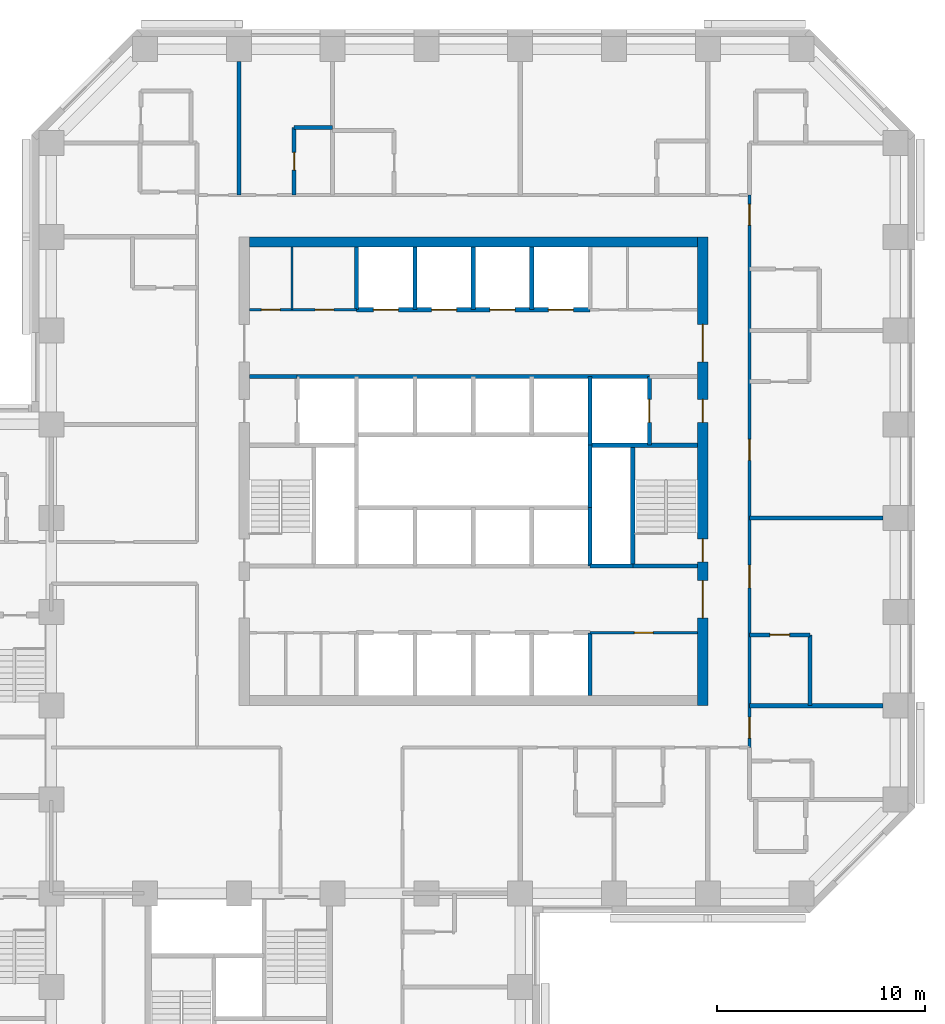
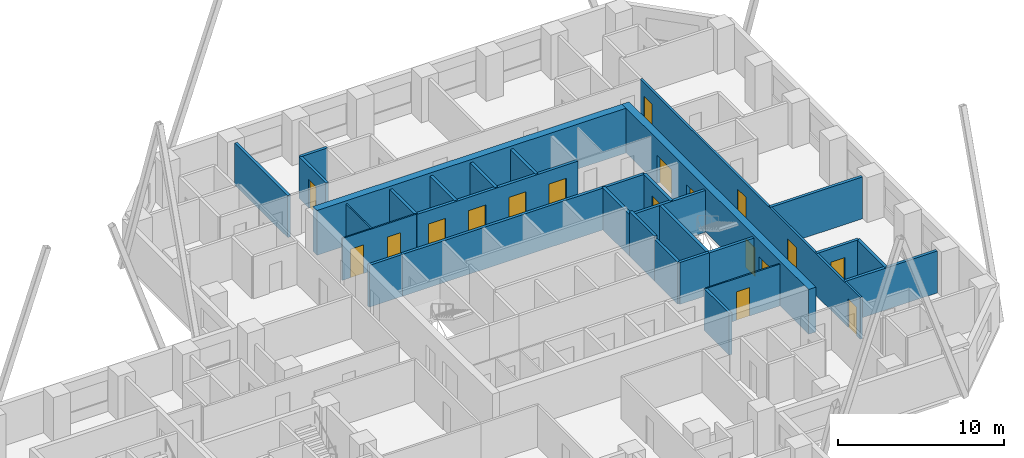
# One storey, part 9 of 13: 29 walls, 18 doors, 18 openings.
"""IFC4 building model written with IfcOpenShell, lengths in metres."""

from ifc_helpers import new_model, si_unit, direction, frame, frame_2d, origin, place, context, subcontext, project, spatial, rectangle, extrude, material, layer, layer_set, type_object, element, fill, save


model = new_model("IFC4")

# Units and contexts
model_context = context("Model", 3, precision=1e-05, world=origin(), true_north=direction((0.0, 1.0)))
body_context = subcontext(model_context, "Body", "Model", "MODEL_VIEW")
ifc_project = project(units=[si_unit("LENGTHUNIT", "METRE"), si_unit("AREAUNIT", "SQUARE_METRE"), si_unit("VOLUMEUNIT", "CUBIC_METRE"), si_unit("PLANEANGLEUNIT", "RADIAN"), si_unit("MASSUNIT", "GRAM", prefix="KILO")], contexts=[model_context])

# Site, building, storey
site_placement = place(None, origin())
site = spatial("IfcSite", under=ifc_project, at=site_placement, CompositionType="ELEMENT")
building_placement = place(site_placement, origin())
building = spatial("IfcBuilding", under=site, at=building_placement, Name="Quoin Convention Tower", CompositionType="ELEMENT")
storey_placement = place(building_placement, frame((0.0, 0.0, 39.60009765625)))
storey = spatial("IfcBuildingStorey", under=building, at=storey_placement, Name="L09", CompositionType="ELEMENT", Elevation=39.60009765625)

# Wall, opening, door
ifc_material_1 = material(Name="Plasterboard")
ifc_layer_1 = layer(ifc_material_1, 0.012451171875, Name="Finish")
ifc_material_2 = material(Name="Steel stud framing", Category="steel")
ifc_layer_2 = layer(ifc_material_2, 0.074951171875, Name="Structure")
ifc_layer_3 = layer(ifc_material_1, 0.012451171875, Name="Finish")
ifc_layer_set_1 = layer_set([ifc_layer_1, ifc_layer_2, ifc_layer_3], Name="Steel stud framing")
wall_type_1 = type_object("IfcWallType", Name="Core partition wall", PredefinedType="PARTITIONING", material=ifc_layer_set_1)
wall_1_placement = place(storey_placement, frame((61.85009765625, 53.0, 0.0), z_axis=(0.0, 0.0, 1.0), x_axis=(1.0, 0.0, 0.0)))
wall_1 = element("IfcWall", 1, at=wall_1_placement, inside=storey, type_object=wall_type_1, Name="cr-C1-L09-h3500_16850", PredefinedType="PARTITIONING", context=body_context, shape_type="SweptSolid", body=[
    extrude(rectangle(XDim=5.14990234375, YDim=0.10009765625, at=frame_2d((2.574951171875, 0.0))), origin(), (0.0, 0.0, 1.0), 3.079833984375),
])
opening_1_placement = place(wall_1_placement, frame((2.125, 0.0, 0.0)))
opening_1 = element("IfcOpeningElement", 2, at=opening_1_placement, cuts=wall_1, Name="Opening DCV3-19", PredefinedType="OPENING", context=body_context, shape_type="SweptSolid", body=[
    extrude(rectangle(XDim=0.89990234375, YDim=2.10009765625, at=frame_2d((0.449951171875, 1.050048828125))), frame((0.0, 0.06005859375, 0.0), z_axis=(0.0, -1.0, 0.0), x_axis=(1.0, 0.0, 0.0)), (0.0, 0.0, 1.0), 0.1201171875),
])
ifc_material_3 = material(Name="Steel door leaf", Category="steel")
door_type_1 = type_object("IfcDoorType", Name="Core room door 900 x 2100", OperationType="SINGLE_SWING_LEFT", PredefinedType="DOOR", material=ifc_material_3)
door_1_placement = place(opening_1_placement, frame((0.89990234375, 0.0, 0.0), z_axis=(0.0, 0.0, 1.0), x_axis=(-1.0, 0.0, 0.0)))
door_1 = element("IfcDoor", 3, at=door_1_placement, inside=storey, type_object=door_type_1, Name="cd-C1-L09-CSE0-lobA-CD0911", OperationType="SINGLE_SWING_RIGHT", OverallHeight=2.10009765625, OverallWidth=0.89990234375, PredefinedType="DOOR", context=body_context, shape_type="SweptSolid", body=[
    extrude(rectangle(XDim=0.89990234375, YDim=2.10009765625, at=frame_2d((0.449951171875, 1.050048828125))), frame((0.0, 0.02490234375, 0.0), z_axis=(0.0, -1.0, 0.0), x_axis=(1.0, 0.0, 0.0)), (0.0, 0.0, 1.0), 0.050048828125),
])
fill(opening_1, door_1)

# Wall, openings, doors
wall_2_placement = place(storey_placement, frame((45.5, 68.5, 0.0), z_axis=(0.0, 0.0, 1.0), x_axis=(1.0, 0.0, 0.0)))
wall_2 = element("IfcWall", 4, at=wall_2_placement, inside=storey, type_object=wall_type_1, Name="cr-C1-L09-h19000_500", PredefinedType="PARTITIONING", context=body_context, shape_type="SweptSolid", body=[
    extrude(rectangle(XDim=5.14990234375, YDim=0.10009765625, at=frame_2d((2.574951171875, 0.0))), origin(), (0.0, 0.0, 1.0), 3.079833984375),
])
opening_2_placement = place(wall_2_placement, frame((0.580078125, 0.0, 0.0)))
opening_2 = element("IfcOpeningElement", 5, at=opening_2_placement, cuts=wall_2, Name="Opening DCV3-17", PredefinedType="OPENING", context=body_context, shape_type="SweptSolid", body=[
    extrude(rectangle(XDim=0.89990234375, YDim=2.10009765625, at=frame_2d((0.449951171875, 1.050048828125))), frame((0.0, 0.06005859375, 0.0), z_axis=(0.0, -1.0, 0.0), x_axis=(1.0, 0.0, 0.0)), (0.0, 0.0, 1.0), 0.1201171875),
])
opening_3_placement = place(wall_2_placement, frame((3.155029296875, 0.0, 0.0)))
opening_3 = element("IfcOpeningElement", 6, at=opening_3_placement, cuts=wall_2, Name="Opening DCV3-18", PredefinedType="OPENING", context=body_context, shape_type="SweptSolid", body=[
    extrude(rectangle(XDim=0.89990234375, YDim=2.10009765625, at=frame_2d((0.449951171875, 1.050048828125))), frame((0.0, 0.06005859375, 0.0), z_axis=(0.0, -1.0, 0.0), x_axis=(1.0, 0.0, 0.0)), (0.0, 0.0, 1.0), 0.1201171875),
])
door_2_placement = place(opening_2_placement, origin())
door_2 = element("IfcDoor", 7, at=door_2_placement, inside=storey, type_object=door_type_1, Name="cd-C1-L09-CNW0-lobB-CD0909", OperationType="SINGLE_SWING_RIGHT", OverallHeight=2.10009765625, OverallWidth=0.89990234375, PredefinedType="DOOR", context=body_context, shape_type="SweptSolid", body=[
    extrude(rectangle(XDim=0.89990234375, YDim=2.10009765625, at=frame_2d((0.449951171875, 1.050048828125))), frame((0.0, 0.02490234375, 0.0), z_axis=(0.0, -1.0, 0.0), x_axis=(1.0, 0.0, 0.0)), (0.0, 0.0, 1.0), 0.050048828125),
])
fill(opening_2, door_2)
door_3_placement = place(opening_3_placement, origin())
door_3 = element("IfcDoor", 8, at=door_3_placement, inside=storey, type_object=door_type_1, Name="cd-C1-L09-CNW1-lobB-CD0910", OperationType="SINGLE_SWING_RIGHT", OverallHeight=2.10009765625, OverallWidth=0.89990234375, PredefinedType="DOOR", context=body_context, shape_type="SweptSolid", body=[
    extrude(rectangle(XDim=0.89990234375, YDim=2.10009765625, at=frame_2d((0.449951171875, 1.050048828125))), frame((0.0, 0.02490234375, 0.0), z_axis=(0.0, -1.0, 0.0), x_axis=(1.0, 0.0, 0.0)), (0.0, 0.0, 1.0), 0.050048828125),
])
fill(opening_3, door_3)

# Walls
wall_3_placement = place(storey_placement, frame((47.56005859375, 68.5, 0.0), z_axis=(0.0, 0.0, 1.0), x_axis=(0.0, 1.0, 0.0)))
element("IfcWall", 9, at=wall_3_placement, inside=storey, type_object=wall_type_1, Name="cr-C1-L09-v2560_19000", PredefinedType="PARTITIONING", context=body_context, shape_type="SweptSolid", body=[
    extrude(rectangle(XDim=3.0, YDim=0.10009765625, at=frame_2d((1.5, 0.0))), origin(), (0.0, 0.0, 1.0), 3.079833984375),
])
ifc_material_4 = material(Name="Concrete C50", Category="concrete")
ifc_layer_4 = layer(ifc_material_4, 0.199951171875)
ifc_layer_set_2 = layer_set([ifc_layer_4], Name="Concrete C50")
wall_type_2 = type_object("IfcWallType", Name="Core shaft wall", PredefinedType="SOLIDWALL", material=ifc_layer_set_2)
wall_4_placement = place(storey_placement, frame((61.85009765625, 56.199951171875, 0.0), z_axis=(0.0, 0.0, 1.0), x_axis=(1.0, 0.0, 0.0)))
element("IfcWall", 10, at=wall_4_placement, inside=storey, type_object=wall_type_2, Name="cr-C1-L09-h6700_16850", PredefinedType="SOLIDWALL", context=body_context, shape_type="SweptSolid", body=[
    extrude(rectangle(XDim=2.0498046875, YDim=0.199951171875, at=frame_2d((1.02490234375, 0.0))), origin(), (0.0, 0.0, 1.0), 3.079833984375),
])
wall_5_placement = place(storey_placement, frame((63.89990234375, 56.199951171875, 0.0), z_axis=(0.0, 0.0, 1.0), x_axis=(1.0, 0.0, 0.0)))
element("IfcWall", 11, at=wall_5_placement, inside=storey, type_object=wall_type_2, Name="cr-C1-L09-h6700_18900", PredefinedType="SOLIDWALL", context=body_context, shape_type="SweptSolid", body=[
    extrude(rectangle(XDim=3.10009765625, YDim=0.199951171875, at=frame_2d((1.550048828125, 0.0))), origin(), (0.0, 0.0, 1.0), 3.079833984375),
])
wall_6_placement = place(storey_placement, frame((61.85009765625, 62.0, 0.0), z_axis=(0.0, 0.0, 1.0), x_axis=(1.0, 0.0, 0.0)))
element("IfcWall", 12, at=wall_6_placement, inside=storey, type_object=wall_type_2, Name="cr-C1-L09-h12500_16850", PredefinedType="SOLIDWALL", context=body_context, shape_type="SweptSolid", body=[
    extrude(rectangle(XDim=5.14990234375, YDim=0.199951171875, at=frame_2d((2.574951171875, 0.0))), origin(), (0.0, 0.0, 1.0), 3.079833984375),
])
wall_7_placement = place(storey_placement, frame((45.5, 65.300048828125, 0.0), z_axis=(0.0, 0.0, 1.0), x_axis=(1.0, 0.0, 0.0)))
element("IfcWall", 13, at=wall_7_placement, inside=storey, type_object=wall_type_2, Name="cr-C1-L09-h15800_500", PredefinedType="SOLIDWALL", context=body_context, shape_type="SweptSolid", body=[
    extrude(rectangle(XDim=2.300048828125, YDim=0.199951171875, at=frame_2d((1.14990234375, 0.0))), origin(), (0.0, 0.0, 1.0), 3.079833984375),
])
wall_8_placement = place(storey_placement, frame((47.800048828125, 65.300048828125, 0.0), z_axis=(0.0, 0.0, 1.0), x_axis=(1.0, 0.0, 0.0)))
element("IfcWall", 14, at=wall_8_placement, inside=storey, type_object=wall_type_2, Name="cr-C1-L09-h15800_2800", PredefinedType="SOLIDWALL", context=body_context, shape_type="SweptSolid", body=[
    extrude(rectangle(XDim=16.89990234375, YDim=0.199951171875, at=frame_2d((8.449951171875, 0.0))), origin(), (0.0, 0.0, 1.0), 3.079833984375),
])

# Wall, openings, doors
wall_9_placement = place(storey_placement, frame((50.64990234375, 68.5, 0.0), z_axis=(0.0, 0.0, 1.0), x_axis=(1.0, 0.0, 0.0)))
wall_9 = element("IfcWall", 15, at=wall_9_placement, inside=storey, type_object=wall_type_2, Name="cr-C1-L09-h19000_5650", PredefinedType="SOLIDWALL", context=body_context, shape_type="SweptSolid", body=[
    extrude(rectangle(XDim=11.2001953125, YDim=0.199951171875, at=frame_2d((5.60009765625, 0.0))), origin(), (0.0, 0.0, 1.0), 3.079833984375),
])
opening_4_placement = place(wall_9_placement, frame((0.800048828125, 0.0, 0.0)))
opening_4 = element("IfcOpeningElement", 16, at=opening_4_placement, cuts=wall_9, Name="Opening LDL5", PredefinedType="OPENING", context=body_context, shape_type="SweptSolid", body=[
    extrude(rectangle(XDim=1.199951171875, YDim=2.10009765625, at=frame_2d((0.60009765625, 1.050048828125))), frame((0.0, 0.10986328125, 0.0), z_axis=(0.0, -1.0, 0.0), x_axis=(1.0, 0.0, 0.0)), (0.0, 0.0, 1.0), 0.219970703125),
])
opening_5_placement = place(wall_9_placement, frame((3.60009765625, 0.0, 0.0)))
opening_5 = element("IfcOpeningElement", 17, at=opening_5_placement, cuts=wall_9, Name="Opening LDL6", PredefinedType="OPENING", context=body_context, shape_type="SweptSolid", body=[
    extrude(rectangle(XDim=1.199951171875, YDim=2.10009765625, at=frame_2d((0.60009765625, 1.050048828125))), frame((0.0, 0.10986328125, 0.0), z_axis=(0.0, -1.0, 0.0), x_axis=(1.0, 0.0, 0.0)), (0.0, 0.0, 1.0), 0.219970703125),
])
opening_6_placement = place(wall_9_placement, frame((6.39990234375, 0.0, 0.0)))
opening_6 = element("IfcOpeningElement", 18, at=opening_6_placement, cuts=wall_9, Name="Opening LDL7", PredefinedType="OPENING", context=body_context, shape_type="SweptSolid", body=[
    extrude(rectangle(XDim=1.199951171875, YDim=2.10009765625, at=frame_2d((0.60009765625, 1.050048828125))), frame((0.0, 0.10986328125, 0.0), z_axis=(0.0, -1.0, 0.0), x_axis=(1.0, 0.0, 0.0)), (0.0, 0.0, 1.0), 0.219970703125),
])
opening_7_placement = place(wall_9_placement, frame((9.199951171875, 0.0, 0.0)))
opening_7 = element("IfcOpeningElement", 19, at=opening_7_placement, cuts=wall_9, Name="Opening LDL8", PredefinedType="OPENING", context=body_context, shape_type="SweptSolid", body=[
    extrude(rectangle(XDim=1.199951171875, YDim=2.10009765625, at=frame_2d((0.60009765625, 1.050048828125))), frame((0.0, 0.10986328125, 0.0), z_axis=(0.0, -1.0, 0.0), x_axis=(1.0, 0.0, 0.0)), (0.0, 0.0, 1.0), 0.219970703125),
])
door_type_2 = type_object("IfcDoorType", Name="Lift landing door 1200 x 2100", OperationType="DOUBLE_DOOR_SLIDING", PredefinedType="DOOR", material=ifc_material_3)
door_4_placement = place(opening_4_placement, origin())
door_4 = element("IfcDoor", 20, at=door_4_placement, inside=storey, type_object=door_type_2, Name="cd-C1-L09-R40-lobB-LDL5", OperationType="DOUBLE_DOOR_SLIDING", OverallHeight=2.10009765625, OverallWidth=1.199951171875, PredefinedType="DOOR", context=body_context, shape_type="SweptSolid", body=[
    extrude(rectangle(XDim=1.199951171875, YDim=2.10009765625, at=frame_2d((0.60009765625, 1.050048828125))), frame((0.0, 0.02490234375, 0.0), z_axis=(0.0, -1.0, 0.0), x_axis=(1.0, 0.0, 0.0)), (0.0, 0.0, 1.0), 0.050048828125),
])
fill(opening_4, door_4)
door_5_placement = place(opening_5_placement, origin())
door_5 = element("IfcDoor", 21, at=door_5_placement, inside=storey, type_object=door_type_2, Name="cd-C1-L09-R41-lobB-LDL6", OperationType="DOUBLE_DOOR_SLIDING", OverallHeight=2.10009765625, OverallWidth=1.199951171875, PredefinedType="DOOR", context=body_context, shape_type="SweptSolid", body=[
    extrude(rectangle(XDim=1.199951171875, YDim=2.10009765625, at=frame_2d((0.60009765625, 1.050048828125))), frame((0.0, 0.02490234375, 0.0), z_axis=(0.0, -1.0, 0.0), x_axis=(1.0, 0.0, 0.0)), (0.0, 0.0, 1.0), 0.050048828125),
])
fill(opening_5, door_5)
door_6_placement = place(opening_6_placement, origin())
door_6 = element("IfcDoor", 22, at=door_6_placement, inside=storey, type_object=door_type_2, Name="cd-C1-L09-R42-lobB-LDL7", OperationType="DOUBLE_DOOR_SLIDING", OverallHeight=2.10009765625, OverallWidth=1.199951171875, PredefinedType="DOOR", context=body_context, shape_type="SweptSolid", body=[
    extrude(rectangle(XDim=1.199951171875, YDim=2.10009765625, at=frame_2d((0.60009765625, 1.050048828125))), frame((0.0, 0.02490234375, 0.0), z_axis=(0.0, -1.0, 0.0), x_axis=(1.0, 0.0, 0.0)), (0.0, 0.0, 1.0), 0.050048828125),
])
fill(opening_6, door_6)
door_7_placement = place(opening_7_placement, origin())
door_7 = element("IfcDoor", 23, at=door_7_placement, inside=storey, type_object=door_type_2, Name="cd-C1-L09-R43-lobB-LDL8", OperationType="DOUBLE_DOOR_SLIDING", OverallHeight=2.10009765625, OverallWidth=1.199951171875, PredefinedType="DOOR", context=body_context, shape_type="SweptSolid", body=[
    extrude(rectangle(XDim=1.199951171875, YDim=2.10009765625, at=frame_2d((0.60009765625, 1.050048828125))), frame((0.0, 0.02490234375, 0.0), z_axis=(0.0, -1.0, 0.0), x_axis=(1.0, 0.0, 0.0)), (0.0, 0.0, 1.0), 0.050048828125),
])
fill(opening_7, door_7)

# Walls
for number, where, z_axis, x_axis, name in (
    (24, (50.64990234375, 68.5, 0.0), (0.0, 0.0, 1.0), (0.0, 1.0, 0.0), "cr-C1-L09-v5650_19000"),
    (25, (53.449951171875, 68.5, 0.0), (0.0, 0.0, 1.0), (0.0, 1.0, 0.0), "cr-C1-L09-v8450_19000"),
    (26, (56.25, 68.5, 0.0), (0.0, 0.0, 1.0), (0.0, 1.0, 0.0), "cr-C1-L09-v11250_19000"),
    (27, (59.050048828125, 68.5, 0.0), (0.0, 0.0, 1.0), (0.0, 1.0, 0.0), "cr-C1-L09-v14050_19000"),
    (28, (61.85009765625, 50.0, 0.0), (0.0, 0.0, 1.0), (0.0, 1.0, 0.0), "cr-C1-L09-v16850_500"),
):
    element("IfcWall", number, at=place(storey_placement, frame(where, z_axis=z_axis, x_axis=x_axis)), inside=storey, type_object=wall_type_2, Name=name, PredefinedType="SOLIDWALL", context=body_context, shape_type="SweptSolid", body=[
        extrude(rectangle(XDim=3.0, YDim=0.199951171875, at=frame_2d((1.5, 0.0))), origin(), (0.0, 0.0, 1.0), 3.079833984375),
    ])
wall_10_placement = place(storey_placement, frame((61.85009765625, 56.199951171875, 0.0), z_axis=(0.0, 0.0, 1.0), x_axis=(0.0, 1.0, 0.0)))
element("IfcWall", 29, at=wall_10_placement, inside=storey, type_object=wall_type_2, Name="cr-C1-L09-v16850_6700", PredefinedType="SOLIDWALL", context=body_context, shape_type="SweptSolid", body=[
    extrude(rectangle(XDim=2.800048828125, YDim=0.199951171875, at=frame_2d((1.39990234375, 0.0))), origin(), (0.0, 0.0, 1.0), 3.079833984375),
])
wall_11_placement = place(storey_placement, frame((61.85009765625, 62.0, 0.0), z_axis=(0.0, 0.0, 1.0), x_axis=(0.0, 1.0, 0.0)))
element("IfcWall", 30, at=wall_11_placement, inside=storey, type_object=wall_type_2, Name="cr-C1-L09-v16850_12500", PredefinedType="SOLIDWALL", context=body_context, shape_type="SweptSolid", body=[
    extrude(rectangle(XDim=3.300048828125, YDim=0.199951171875, at=frame_2d((1.64990234375, 0.0))), origin(), (0.0, 0.0, 1.0), 3.079833984375),
])
wall_12_placement = place(storey_placement, frame((63.89990234375, 56.199951171875, 0.0), z_axis=(0.0, 0.0, 1.0), x_axis=(0.0, 1.0, 0.0)))
element("IfcWall", 31, at=wall_12_placement, inside=storey, type_object=wall_type_2, Name="cr-C1-L09-v18900_6700", PredefinedType="SOLIDWALL", context=body_context, shape_type="SweptSolid", body=[
    extrude(rectangle(XDim=5.800048828125, YDim=0.199951171875, at=frame_2d((2.89990234375, 0.0))), origin(), (0.0, 0.0, 1.0), 3.079833984375),
])

# Wall, opening, door
wall_13_placement = place(storey_placement, frame((64.699951171875, 62.0, 0.0), z_axis=(0.0, 0.0, 1.0), x_axis=(0.0, 1.0, 0.0)))
wall_13 = element("IfcWall", 32, at=wall_13_placement, inside=storey, type_object=wall_type_2, Name="cr-C1-L09-v19700_12500", PredefinedType="SOLIDWALL", context=body_context, shape_type="SweptSolid", body=[
    extrude(rectangle(XDim=3.300048828125, YDim=0.199951171875, at=frame_2d((1.64990234375, 0.0))), origin(), (0.0, 0.0, 1.0), 3.079833984375),
])
opening_8_placement = place(wall_13_placement, frame((1.10009765625, 0.0, 0.0)))
opening_8 = element("IfcOpeningElement", 33, at=opening_8_placement, cuts=wall_13, Name="Opening LDFL2", PredefinedType="OPENING", context=body_context, shape_type="SweptSolid", body=[
    extrude(rectangle(XDim=1.10009765625, YDim=2.10009765625, at=frame_2d((0.550048828125, 1.050048828125))), frame((0.0, 0.10986328125, 0.0), z_axis=(0.0, -1.0, 0.0), x_axis=(1.0, 0.0, 0.0)), (0.0, 0.0, 1.0), 0.219970703125),
])
door_type_3 = type_object("IfcDoorType", Name="Lift landing door 1100 x 2100", OperationType="DOUBLE_DOOR_SLIDING", PredefinedType="DOOR", material=ifc_material_3)
door_8_placement = place(opening_8_placement, origin())
door_8 = element("IfcDoor", 34, at=door_8_placement, inside=storey, type_object=door_type_3, Name="cd-C1-L09-FLE-FFE-LDFL2", OperationType="DOUBLE_DOOR_SLIDING", OverallHeight=2.10009765625, OverallWidth=1.10009765625, PredefinedType="DOOR", context=body_context, shape_type="SweptSolid", body=[
    extrude(rectangle(XDim=1.10009765625, YDim=2.10009765625, at=frame_2d((0.550048828125, 1.050048828125))), frame((0.0, 0.02490234375, 0.0), z_axis=(0.0, -1.0, 0.0), x_axis=(1.0, 0.0, 0.0)), (0.0, 0.0, 1.0), 0.050048828125),
])
fill(opening_8, door_8)

# Walls
ifc_layer_5 = layer(ifc_material_4, 0.199951171875)
ifc_layer_set_3 = layer_set([ifc_layer_5], Name="Concrete C50")
wall_type_3 = type_object("IfcWallType", Name="Core shaft wall to the floor level over", PredefinedType="SOLIDWALL", material=ifc_layer_set_3)
wall_14_placement = place(storey_placement, frame((61.85009765625, 59.0, 0.0), z_axis=(0.0, 0.0, 1.0), x_axis=(0.0, 1.0, 0.0)))
element("IfcWall", 35, at=wall_14_placement, inside=storey, type_object=wall_type_3, Name="cr-C1-L09-v16850_9500", PredefinedType="SOLIDWALL", context=body_context, shape_type="SweptSolid", body=[
    extrude(rectangle(XDim=3.0, YDim=0.199951171875, at=frame_2d((1.5, 0.0))), origin(), (0.0, 0.0, 1.0), 3.2998046875),
])
ifc_material_5 = material(Name="Concrete C80", Category="concrete")
ifc_layer_6 = layer(ifc_material_5, 0.5)
ifc_layer_set_4 = layer_set([ifc_layer_6], Name="Concrete C80")
wall_type_4 = type_object("IfcWallType", Name="RC CORE WALL 500 C80", PredefinedType="SHEAR", material=ifc_layer_set_4)
wall_15_placement = place(storey_placement, frame((45.5, 71.75, 0.0), z_axis=(0.0, 0.0, 1.0), x_axis=(1.0, 0.0, 0.0)))
element("IfcWall", 36, at=wall_15_placement, inside=storey, type_object=wall_type_4, Name="cwl-C1-L09-N", PredefinedType="SHEAR", context=body_context, shape_type="SweptSolid", body=[
    extrude(rectangle(XDim=21.5, YDim=0.5, at=frame_2d((10.75, 0.0))), origin(), (0.0, 0.0, 1.0), 3.2998046875),
])

# Wall, openings, doors
wall_16_placement = place(storey_placement, frame((67.25, 49.5, 0.0), z_axis=(0.0, 0.0, 1.0), x_axis=(0.0, 1.0, 0.0)))
wall_16 = element("IfcWall", 37, at=wall_16_placement, inside=storey, type_object=wall_type_4, Name="cwl-C1-L09-E", PredefinedType="SHEAR", context=body_context, shape_type="SweptSolid", body=[
    extrude(rectangle(XDim=22.5, YDim=0.5, at=frame_2d((11.25, 0.0))), origin(), (0.0, 0.0, 1.0), 3.2998046875),
])
opening_9_placement = place(wall_16_placement, frame((4.199951171875, 0.0, 0.0)))
opening_9 = element("IfcOpeningElement", 38, at=opening_9_placement, cuts=wall_16, Name="Opening DCV3-38", PredefinedType="OPENING", context=body_context, shape_type="SweptSolid", body=[
    extrude(rectangle(XDim=1.800048828125, YDim=2.10009765625, at=frame_2d((0.89990234375, 1.050048828125))), frame((0.0, 0.260009765625, 0.0), z_axis=(0.0, -1.0, 0.0), x_axis=(1.0, 0.0, 0.0)), (0.0, 0.0, 1.0), 0.52001953125),
])
opening_10_placement = place(wall_16_placement, frame((6.89990234375, 0.0, 0.0)))
opening_10 = element("IfcOpeningElement", 39, at=opening_10_placement, cuts=wall_16, Name="Opening SD2", PredefinedType="OPENING", context=body_context, shape_type="SweptSolid", body=[
    extrude(rectangle(XDim=1.10009765625, YDim=2.10009765625, at=frame_2d((0.550048828125, 1.050048828125))), frame((0.0, 0.260009765625, 0.0), z_axis=(0.0, -1.0, 0.0), x_axis=(1.0, 0.0, 0.0)), (0.0, 0.0, 1.0), 0.52001953125),
])
opening_11_placement = place(wall_16_placement, frame((13.60009765625, 0.0, 0.0)))
opening_11 = element("IfcOpeningElement", 40, at=opening_11_placement, cuts=wall_16, Name="Opening DCV3-37", PredefinedType="OPENING", context=body_context, shape_type="SweptSolid", body=[
    extrude(rectangle(XDim=1.10009765625, YDim=2.10009765625, at=frame_2d((0.550048828125, 1.050048828125))), frame((0.0, 0.260009765625, 0.0), z_axis=(0.0, -1.0, 0.0), x_axis=(1.0, 0.0, 0.0)), (0.0, 0.0, 1.0), 0.52001953125),
])
opening_12_placement = place(wall_16_placement, frame((16.5, 0.0, 0.0)))
opening_12 = element("IfcOpeningElement", 41, at=opening_12_placement, cuts=wall_16, Name="Opening DCV3-38", PredefinedType="OPENING", context=body_context, shape_type="SweptSolid", body=[
    extrude(rectangle(XDim=1.800048828125, YDim=2.10009765625, at=frame_2d((0.89990234375, 1.050048828125))), frame((0.0, 0.260009765625, 0.0), z_axis=(0.0, -1.0, 0.0), x_axis=(1.0, 0.0, 0.0)), (0.0, 0.0, 1.0), 0.52001953125),
])
door_type_4 = type_object("IfcDoorType", Name="Fire-fighting lobby door 1100 x 2100", OperationType="SINGLE_SWING_LEFT", PredefinedType="DOOR", material=ifc_material_3)
door_9_placement = place(opening_11_placement, origin())
door_9 = element("IfcDoor", 42, at=door_9_placement, inside=storey, type_object=door_type_4, Name="cd-C1-L09-FFE-E", OperationType="SINGLE_SWING_RIGHT", OverallHeight=2.10009765625, OverallWidth=1.10009765625, PredefinedType="DOOR", context=body_context, shape_type="SweptSolid", body=[
    extrude(rectangle(XDim=1.10009765625, YDim=2.10009765625, at=frame_2d((0.550048828125, 1.050048828125))), frame((0.0, 0.02490234375, 0.0), z_axis=(0.0, -1.0, 0.0), x_axis=(1.0, 0.0, 0.0)), (0.0, 0.0, 1.0), 0.050048828125),
])
fill(opening_11, door_9)
door_type_5 = type_object("IfcDoorType", Name="Lift lobby door 1800 x 2100", OperationType="SINGLE_SWING_LEFT", PredefinedType="DOOR", material=ifc_material_3)
door_10_placement = place(opening_9_placement, origin())
door_10 = element("IfcDoor", 43, at=door_10_placement, inside=storey, type_object=door_type_5, Name="cd-C1-L09-lobA-E", OperationType="SINGLE_SWING_RIGHT", OverallHeight=2.10009765625, OverallWidth=1.800048828125, PredefinedType="DOOR", context=body_context, shape_type="SweptSolid", body=[
    extrude(rectangle(XDim=1.800048828125, YDim=2.10009765625, at=frame_2d((0.89990234375, 1.050048828125))), frame((0.0, 0.02490234375, 0.0), z_axis=(0.0, -1.0, 0.0), x_axis=(1.0, 0.0, 0.0)), (0.0, 0.0, 1.0), 0.050048828125),
])
fill(opening_9, door_10)
door_11_placement = place(opening_12_placement, origin())
door_11 = element("IfcDoor", 44, at=door_11_placement, inside=storey, type_object=door_type_5, Name="cd-C1-L09-lobB-E", OperationType="SINGLE_SWING_RIGHT", OverallHeight=2.10009765625, OverallWidth=1.800048828125, PredefinedType="DOOR", context=body_context, shape_type="SweptSolid", body=[
    extrude(rectangle(XDim=1.800048828125, YDim=2.10009765625, at=frame_2d((0.89990234375, 1.050048828125))), frame((0.0, 0.02490234375, 0.0), z_axis=(0.0, -1.0, 0.0), x_axis=(1.0, 0.0, 0.0)), (0.0, 0.0, 1.0), 0.050048828125),
])
fill(opening_12, door_11)
door_type_6 = type_object("IfcDoorType", Name="Stair door 1100 x 2100", OperationType="SINGLE_SWING_RIGHT", PredefinedType="DOOR", material=ifc_material_3)
door_12_placement = place(opening_10_placement, origin())
door_12 = element("IfcDoor", 45, at=door_12_placement, inside=storey, type_object=door_type_6, Name="cd-C1-L09-STE-E", OperationType="SINGLE_SWING_LEFT", OverallHeight=2.10009765625, OverallWidth=1.10009765625, PredefinedType="DOOR", context=body_context, shape_type="SweptSolid", body=[
    extrude(rectangle(XDim=1.10009765625, YDim=2.10009765625, at=frame_2d((0.550048828125, 1.050048828125))), frame((0.0, 0.02490234375, 0.0), z_axis=(0.0, -1.0, 0.0), x_axis=(1.0, 0.0, 0.0)), (0.0, 0.0, 1.0), 0.050048828125),
])
fill(opening_10, door_12)

# Walls
ifc_layer_7 = layer(ifc_material_4, 0.199951171875)
ifc_layer_set_5 = layer_set([ifc_layer_7], Name="Concrete C50")
wall_type_5 = type_object("IfcWallType", Name="RC party wall", PredefinedType="SOLIDWALL", material=ifc_layer_set_5)
wall_17_placement = place(storey_placement, frame((69.5, 49.5, 0.0), z_axis=(0.0, 0.0, 1.0), x_axis=(1.0, 0.0, 0.0)))
element("IfcWall", 46, at=wall_17_placement, inside=storey, type_object=wall_type_5, Name="pw-L09-090", PredefinedType="SOLIDWALL", context=body_context, shape_type="SweptSolid", body=[
    extrude(rectangle(XDim=6.39990234375, YDim=0.199951171875, at=frame_2d((3.199951171875, 0.0))), origin(), (0.0, 0.0, 1.0), 3.079833984375),
])
wall_18_placement = place(storey_placement, frame((72.39990234375, 49.5, 0.0), z_axis=(0.0, 0.0, 1.0), x_axis=(0.0, 1.0, 0.0)))
element("IfcWall", 47, at=wall_18_placement, inside=storey, type_object=wall_type_5, Name="pw-L09-091", PredefinedType="SOLIDWALL", context=body_context, shape_type="SweptSolid", body=[
    extrude(rectangle(XDim=3.39990234375, YDim=0.199951171875, at=frame_2d((1.699951171875, 0.0))), origin(), (0.0, 0.0, 1.0), 3.079833984375),
])

# Wall, opening, door
wall_19_placement = place(storey_placement, frame((69.5, 52.89990234375, 0.0), z_axis=(0.0, 0.0, 1.0), x_axis=(1.0, 0.0, 0.0)))
wall_19 = element("IfcWall", 48, at=wall_19_placement, inside=storey, type_object=wall_type_5, Name="pw-L09-093", PredefinedType="SOLIDWALL", context=body_context, shape_type="SweptSolid", body=[
    extrude(rectangle(XDim=2.89990234375, YDim=0.199951171875, at=frame_2d((1.449951171875, 0.0))), origin(), (0.0, 0.0, 1.0), 3.079833984375),
])
opening_13_placement = place(wall_19_placement, frame((0.97509765625, 0.0, 0.0)))
opening_13 = element("IfcOpeningElement", 49, at=opening_13_placement, cuts=wall_19, Name="Opening DHOTEL-E-51", PredefinedType="OPENING", context=body_context, shape_type="SweptSolid", body=[
    extrude(rectangle(XDim=0.949951171875, YDim=2.10009765625, at=frame_2d((0.47509765625, 1.050048828125))), frame((0.0, 0.10986328125, 0.0), z_axis=(0.0, -1.0, 0.0), x_axis=(1.0, 0.0, 0.0)), (0.0, 0.0, 1.0), 0.219970703125),
])
door_type_7 = type_object("IfcDoorType", Name="Accessible bathroom door", OperationType="SINGLE_SWING_LEFT", PredefinedType="DOOR", material=ifc_material_3)
door_13_placement = place(opening_13_placement, origin())
door_13 = element("IfcDoor", 50, at=door_13_placement, inside=storey, type_object=door_type_7, Name="dr-L09-042", OperationType="SINGLE_SWING_LEFT", OverallHeight=2.10009765625, OverallWidth=0.949951171875, PredefinedType="DOOR", context=body_context, shape_type="SweptSolid", body=[
    extrude(rectangle(XDim=0.949951171875, YDim=2.10009765625, at=frame_2d((0.47509765625, 1.050048828125))), frame((0.0, 0.02490234375, 0.0), z_axis=(0.0, -1.0, 0.0), x_axis=(1.0, 0.0, 0.0)), (0.0, 0.0, 1.0), 0.050048828125),
])
fill(opening_13, door_13)

# Walls
for number, where, z_axis, x_axis, name in (
    (51, (69.5, 58.5, 0.0), (0.0, 0.0, 1.0), (1.0, 0.0, 0.0), "pw-L09-104"),
    (52, (45.0, 74.0, 0.0), (0.0, 0.0, 1.0), (0.0, 1.0, 0.0), "pw-L09-118"),
):
    element("IfcWall", number, at=place(storey_placement, frame(where, z_axis=z_axis, x_axis=x_axis)), inside=storey, type_object=wall_type_5, Name=name, PredefinedType="SOLIDWALL", context=body_context, shape_type="SweptSolid", body=[
        extrude(rectangle(XDim=6.39990234375, YDim=0.199951171875, at=frame_2d((3.199951171875, 0.0))), origin(), (0.0, 0.0, 1.0), 3.079833984375),
    ])

# Wall, opening, door
wall_20_placement = place(storey_placement, frame((47.64990234375, 74.0, 0.0), z_axis=(0.0, 0.0, 1.0), x_axis=(0.0, 1.0, 0.0)))
wall_20 = element("IfcWall", 53, at=wall_20_placement, inside=storey, type_object=wall_type_5, Name="pw-L09-119", PredefinedType="SOLIDWALL", context=body_context, shape_type="SweptSolid", body=[
    extrude(rectangle(XDim=3.25, YDim=0.199951171875, at=frame_2d((1.625, 0.0))), origin(), (0.0, 0.0, 1.0), 3.079833984375),
])
opening_14_placement = place(wall_20_placement, frame((1.199951171875, 0.0, 0.0)))
opening_14 = element("IfcOpeningElement", 54, at=opening_14_placement, cuts=wall_20, Name="Opening DHOTEL-E-57", PredefinedType="OPENING", context=body_context, shape_type="SweptSolid", body=[
    extrude(rectangle(XDim=0.85009765625, YDim=2.10009765625, at=frame_2d((0.425048828125, 1.050048828125))), frame((0.0, 0.10986328125, 0.0), z_axis=(0.0, -1.0, 0.0), x_axis=(1.0, 0.0, 0.0)), (0.0, 0.0, 1.0), 0.219970703125),
])
door_type_8 = type_object("IfcDoorType", Name="Bathroom door", OperationType="SINGLE_SWING_LEFT", PredefinedType="DOOR", material=ifc_material_3)
door_14_placement = place(opening_14_placement, origin())
door_14 = element("IfcDoor", 55, at=door_14_placement, inside=storey, type_object=door_type_8, Name="dr-L09-032", OperationType="SINGLE_SWING_LEFT", OverallHeight=2.10009765625, OverallWidth=0.85009765625, PredefinedType="DOOR", context=body_context, shape_type="SweptSolid", body=[
    extrude(rectangle(XDim=0.85009765625, YDim=2.10009765625, at=frame_2d((0.425048828125, 1.050048828125))), frame((0.0, 0.02490234375, 0.0), z_axis=(0.0, -1.0, 0.0), x_axis=(1.0, 0.0, 0.0)), (0.0, 0.0, 1.0), 0.050048828125),
])
fill(opening_14, door_14)

# Wall
wall_21_placement = place(storey_placement, frame((47.64990234375, 77.25, 0.0), z_axis=(0.0, 0.0, 1.0), x_axis=(1.0, 0.0, 0.0)))
element("IfcWall", 56, at=wall_21_placement, inside=storey, type_object=wall_type_5, Name="pw-L09-136", PredefinedType="SOLIDWALL", context=body_context, shape_type="SweptSolid", body=[
    extrude(rectangle(XDim=1.85009765625, YDim=0.199951171875, at=frame_2d((0.925048828125, 0.0))), origin(), (0.0, 0.0, 1.0), 3.079833984375),
])

# Wall, openings, doors
ifc_layer_8 = layer(ifc_material_1, 0.012451171875, Name="Finish")
ifc_layer_9 = layer(ifc_material_2, 0.125, Name="Structure")
ifc_layer_10 = layer(ifc_material_1, 0.012451171875, Name="Finish")
ifc_layer_set_6 = layer_set([ifc_layer_8, ifc_layer_9, ifc_layer_10], Name="Steel stud framing")
wall_type_6 = type_object("IfcWallType", Name="corridor partition", PredefinedType="PARTITIONING", material=ifc_layer_set_6)
wall_22_placement = place(storey_placement, frame((69.5, 47.5, 0.0), z_axis=(0.0, 0.0, 1.0), x_axis=(0.0, 1.0, 0.0)))
wall_22 = element("IfcWall", 57, at=wall_22_placement, inside=storey, type_object=wall_type_6, Name="pw-L09-031", PredefinedType="PARTITIONING", context=body_context, shape_type="SweptSolid", body=[
    extrude(rectangle(XDim=26.5, YDim=0.14990234375, at=frame_2d((13.25, 0.0))), origin(), (0.0, 0.0, 1.0), 3.079833984375),
])
opening_15_placement = place(wall_22_placement, frame((25.052978515625, 0.0, 0.0)))
opening_15 = element("IfcOpeningElement", 58, at=opening_15_placement, cuts=wall_22, Name="Opening DHOTEL-E-26", PredefinedType="OPENING", context=body_context, shape_type="SweptSolid", body=[
    extrude(rectangle(XDim=1.0, YDim=2.10009765625, at=frame_2d((0.5, 1.050048828125))), frame((0.0, 0.0849609375, 0.0), z_axis=(0.0, -1.0, 0.0), x_axis=(1.0, 0.0, 0.0)), (0.0, 0.0, 1.0), 0.169921875),
])
opening_16_placement = place(wall_22_placement, frame((13.77490234375, 0.0, 0.0)))
opening_16 = element("IfcOpeningElement", 59, at=opening_16_placement, cuts=wall_22, Name="Opening DHOTEL-E-25", PredefinedType="OPENING", context=body_context, shape_type="SweptSolid", body=[
    extrude(rectangle(XDim=1.0, YDim=2.10009765625, at=frame_2d((0.5, 1.050048828125))), frame((0.0, 0.0849609375, 0.0), z_axis=(0.0, -1.0, 0.0), x_axis=(1.0, 0.0, 0.0)), (0.0, 0.0, 1.0), 0.169921875),
])
opening_17_placement = place(wall_22_placement, frame((7.64990234375, 0.0, 0.0)))
opening_17 = element("IfcOpeningElement", 60, at=opening_17_placement, cuts=wall_22, Name="Opening DHOTEL-E-24", PredefinedType="OPENING", context=body_context, shape_type="SweptSolid", body=[
    extrude(rectangle(XDim=1.10009765625, YDim=2.10009765625, at=frame_2d((0.550048828125, 1.050048828125))), frame((0.0, 0.0849609375, 0.0), z_axis=(0.0, -1.0, 0.0), x_axis=(1.0, 0.0, 0.0)), (0.0, 0.0, 1.0), 0.169921875),
])
opening_18_placement = place(wall_22_placement, frame((0.447021484375, 0.0, 0.0)))
opening_18 = element("IfcOpeningElement", 61, at=opening_18_placement, cuts=wall_22, Name="Opening DHOTEL-E-23", PredefinedType="OPENING", context=body_context, shape_type="SweptSolid", body=[
    extrude(rectangle(XDim=1.0, YDim=2.10009765625, at=frame_2d((0.5, 1.050048828125))), frame((0.0, 0.0849609375, 0.0), z_axis=(0.0, -1.0, 0.0), x_axis=(1.0, 0.0, 0.0)), (0.0, 0.0, 1.0), 0.169921875),
])
door_type_9 = type_object("IfcDoorType", Name="Accessible room door", OperationType="SINGLE_SWING_LEFT", PredefinedType="DOOR", material=ifc_material_3)
door_15_placement = place(opening_17_placement, frame((1.10009765625, 0.0, 0.0), z_axis=(0.0, 0.0, 1.0), x_axis=(-1.0, 0.0, 0.0)))
door_15 = element("IfcDoor", 62, at=door_15_placement, inside=storey, type_object=door_type_9, Name="dr-L09-041", OperationType="SINGLE_SWING_LEFT", OverallHeight=2.10009765625, OverallWidth=1.10009765625, PredefinedType="DOOR", context=body_context, shape_type="SweptSolid", body=[
    extrude(rectangle(XDim=1.10009765625, YDim=2.10009765625, at=frame_2d((0.550048828125, 1.050048828125))), frame((0.0, 0.02490234375, 0.0), z_axis=(0.0, -1.0, 0.0), x_axis=(1.0, 0.0, 0.0)), (0.0, 0.0, 1.0), 0.050048828125),
])
fill(opening_17, door_15)
door_type_10 = type_object("IfcDoorType", Name="Hotel room door", OperationType="SINGLE_SWING_LEFT", PredefinedType="DOOR", material=ifc_material_3)
door_16_placement = place(opening_15_placement, frame((1.0, 0.0, 0.0), z_axis=(0.0, 0.0, 1.0), x_axis=(-1.0, 0.0, 0.0)))
door_16 = element("IfcDoor", 63, at=door_16_placement, inside=storey, type_object=door_type_10, Name="dr-L09-037", OperationType="SINGLE_SWING_LEFT", OverallHeight=2.10009765625, OverallWidth=1.0, PredefinedType="DOOR", context=body_context, shape_type="SweptSolid", body=[
    extrude(rectangle(XDim=1.0, YDim=2.10009765625, at=frame_2d((0.5, 1.050048828125))), frame((0.0, 0.02490234375, 0.0), z_axis=(0.0, -1.0, 0.0), x_axis=(1.0, 0.0, 0.0)), (0.0, 0.0, 1.0), 0.050048828125),
])
fill(opening_15, door_16)
door_17_placement = place(opening_16_placement, frame((1.0, 0.0, 0.0), z_axis=(0.0, 0.0, 1.0), x_axis=(-1.0, 0.0, 0.0)))
door_17 = element("IfcDoor", 64, at=door_17_placement, inside=storey, type_object=door_type_10, Name="dr-L09-039", OperationType="SINGLE_SWING_LEFT", OverallHeight=2.10009765625, OverallWidth=1.0, PredefinedType="DOOR", context=body_context, shape_type="SweptSolid", body=[
    extrude(rectangle(XDim=1.0, YDim=2.10009765625, at=frame_2d((0.5, 1.050048828125))), frame((0.0, 0.02490234375, 0.0), z_axis=(0.0, -1.0, 0.0), x_axis=(1.0, 0.0, 0.0)), (0.0, 0.0, 1.0), 0.050048828125),
])
fill(opening_16, door_17)
door_18_placement = place(opening_18_placement, frame((1.0, 0.0, 0.0), z_axis=(0.0, 0.0, 1.0), x_axis=(-1.0, 0.0, 0.0)))
door_18 = element("IfcDoor", 65, at=door_18_placement, inside=storey, type_object=door_type_10, Name="dr-L09-043", OperationType="SINGLE_SWING_LEFT", OverallHeight=2.10009765625, OverallWidth=1.0, PredefinedType="DOOR", context=body_context, shape_type="SweptSolid", body=[
    extrude(rectangle(XDim=1.0, YDim=2.10009765625, at=frame_2d((0.5, 1.050048828125))), frame((0.0, 0.02490234375, 0.0), z_axis=(0.0, -1.0, 0.0), x_axis=(1.0, 0.0, 0.0)), (0.0, 0.0, 1.0), 0.050048828125),
])
fill(opening_18, door_18)

save(model, "model.ifc")
